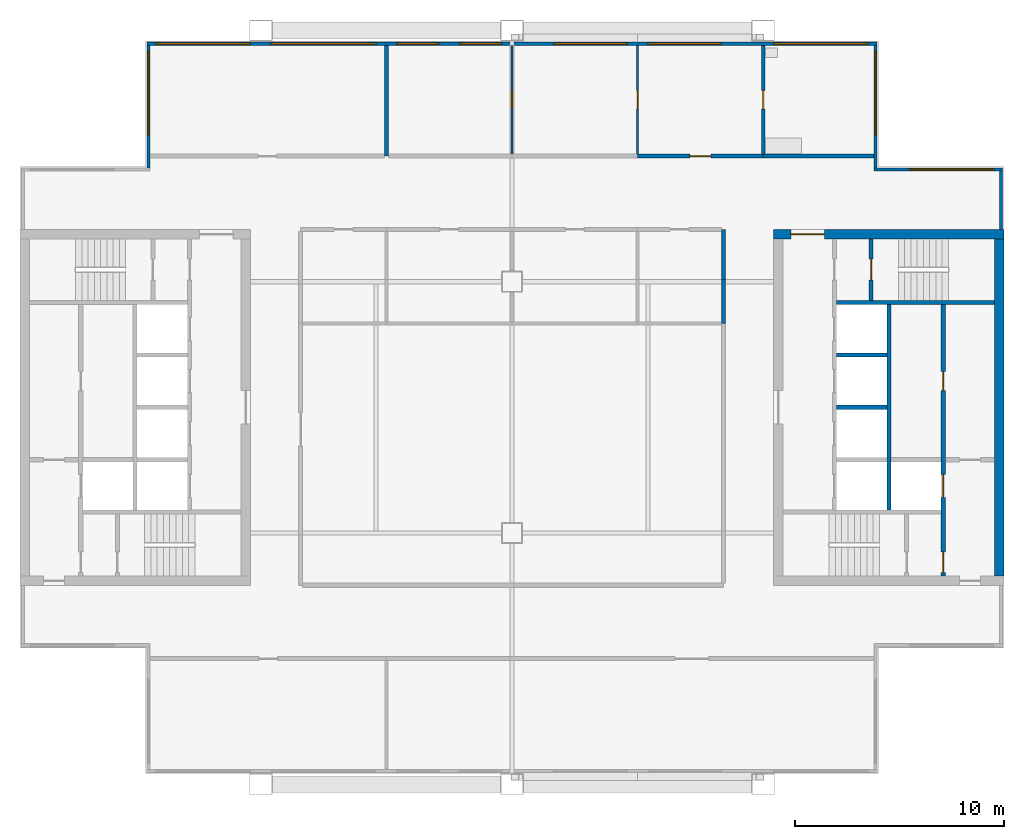
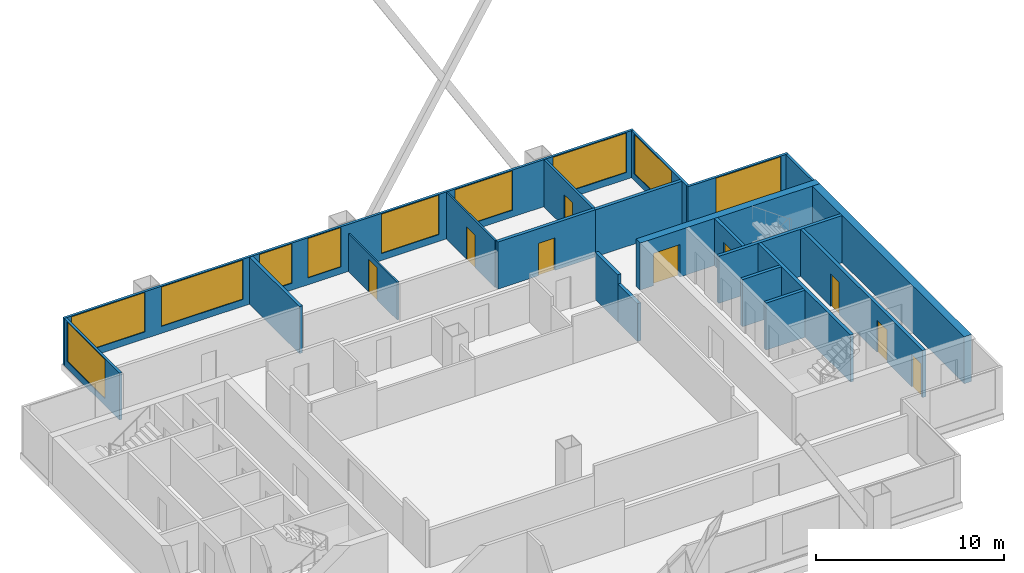
# One storey, part 4 of 7: 21 walls, 10 windows, 9 doors, 19 openings.
"""IFC4 building model written with IfcOpenShell, lengths in metres."""

from ifc_helpers import new_model, si_unit, direction, frame, frame_2d, origin, place, context, subcontext, project, spatial, rectangle, extrude, material, layer, layer_set, type_object, element, fill, save


model = new_model("IFC4")

# Units and contexts
model_context = context("Model", 3, precision=1e-05, world=origin(), true_north=direction((0.0, 1.0)))
body_context = subcontext(model_context, "Body", "Model", "MODEL_VIEW")
ifc_project = project(units=[si_unit("LENGTHUNIT", "METRE"), si_unit("AREAUNIT", "SQUARE_METRE"), si_unit("VOLUMEUNIT", "CUBIC_METRE"), si_unit("PLANEANGLEUNIT", "RADIAN"), si_unit("MASSUNIT", "GRAM", prefix="KILO")], contexts=[model_context])

# Site, building, storey
site_placement = place(None, origin())
site = spatial("IfcSite", under=ifc_project, at=site_placement, CompositionType="ELEMENT")
building_placement = place(site_placement, origin())
building = spatial("IfcBuilding", under=site, at=building_placement, Name="Kitamizu Gate Tower and Museum", CompositionType="ELEMENT")
storey_placement = place(building_placement, frame((0.0, 0.0, 238.64990234375)))
storey = spatial("IfcBuildingStorey", under=building, at=storey_placement, Name="L64", CompositionType="ELEMENT", Elevation=238.64990234375)

# Wall, opening, door
ifc_material_1 = material(Name="Concrete Fc42", Category="concrete")
ifc_layer_1 = layer(ifc_material_1, 0.449951171875)
ifc_layer_set_1 = layer_set([ifc_layer_1], Name="Concrete Fc42")
wall_type_1 = type_object("IfcWallType", Name="Core wall 450", PredefinedType="SHEAR", material=ifc_layer_set_1)
wall_1_placement = place(storey_placement, frame((59.5, 38.27490234375, 0.0), z_axis=(0.0, 0.0, 1.0), x_axis=(-1.0, 0.0, 0.0)))
wall_1 = element("IfcWall", 1, at=wall_1_placement, inside=storey, type_object=wall_type_1, Name="Core wall EN", PredefinedType="SHEAR", context=body_context, shape_type="SweptSolid", body=[
    extrude(rectangle(XDim=11.0, YDim=0.449951171875, at=frame_2d((5.5, 0.0))), origin(), (0.0, 0.0, 1.0), 3.050048828125),
])
opening_1_placement = place(wall_1_placement, frame((8.574951171875, 0.0, 0.0)))
opening_1 = element("IfcOpeningElement", 2, at=opening_1_placement, cuts=wall_1, Name="Opening L64-028", PredefinedType="OPENING", context=body_context, shape_type="SweptSolid", body=[
    extrude(rectangle(XDim=1.60009765625, YDim=2.10009765625, at=frame_2d((0.800048828125, 1.050048828125))), frame((0.0, 0.23486328125, 0.0), z_axis=(0.0, -1.0, 0.0), x_axis=(1.0, 0.0, 0.0)), (0.0, 0.0, 1.0), 0.469970703125),
])
ifc_material_2 = material(Name="Timber door set", Category="wood")
door_type_1 = type_object("IfcDoorType", Name="Entrance door 1600", OperationType="DOUBLE_DOOR_SINGLE_SWING", PredefinedType="DOOR", material=ifc_material_2)
door_1_placement = place(opening_1_placement, origin())
door_1 = element("IfcDoor", 3, at=door_1_placement, inside=storey, type_object=door_type_1, Name="Lobby door L64-028", OperationType="DOUBLE_DOOR_SINGLE_SWING", OverallHeight=2.10009765625, OverallWidth=1.60009765625, PredefinedType="DOOR", context=body_context, shape_type="SweptSolid", body=[
    extrude(rectangle(XDim=1.60009765625, YDim=2.10009765625, at=frame_2d((0.800048828125, 1.050048828125))), frame((0.0, 0.02490234375, 0.0), z_axis=(0.0, -1.0, 0.0), x_axis=(1.0, 0.0, 0.0)), (0.0, 0.0, 1.0), 0.050048828125),
])
fill(opening_1, door_1)

# Wall
wall_2_placement = place(storey_placement, frame((59.27490234375, 21.949951171875, 0.0), z_axis=(0.0, 0.0, 1.0), x_axis=(0.0, 1.0, 0.0)))
element("IfcWall", 4, at=wall_2_placement, inside=storey, type_object=wall_type_1, Name="Core wall EOUT", PredefinedType="SHEAR", context=body_context, shape_type="SweptSolid", body=[
    extrude(rectangle(XDim=16.10009765625, YDim=0.449951171875, at=frame_2d((8.050048828125, 0.0))), origin(), (0.0, 0.0, 1.0), 3.050048828125),
])

# Wall, opening, door
ifc_material_3 = material(Name="Gypsum board on galvanised stud")
ifc_layer_2 = layer(ifc_material_3, 0.10009765625)
ifc_layer_set_2 = layer_set([ifc_layer_2], Name="Gypsum board on galvanised stud")
wall_type_2 = type_object("IfcWallType", Name="Partition 100 NOT RATED", PredefinedType="PARTITIONING", material=ifc_layer_set_2)
wall_3_placement = place(storey_placement, frame((36.0, 42.10009765625, 0.0), z_axis=(0.0, 0.0, 1.0), x_axis=(0.0, 1.0, 0.0)))
wall_3 = element("IfcWall", 5, at=wall_3_placement, inside=storey, type_object=wall_type_2, Name="Partition L64-003", PredefinedType="PARTITIONING", context=body_context, shape_type="SweptSolid", body=[
    extrude(rectangle(XDim=5.179931640625, YDim=0.10009765625, at=frame_2d((2.58984375, 0.0))), origin(), (0.0, 0.0, 1.0), 2.4501953125),
])
opening_2_placement = place(wall_3_placement, frame((2.139892578125, 0.0, 0.0)))
opening_2 = element("IfcOpeningElement", 6, at=opening_2_placement, cuts=wall_3, Name="Opening L64-003", PredefinedType="OPENING", context=body_context, shape_type="SweptSolid", body=[
    extrude(rectangle(XDim=0.89990234375, YDim=2.10009765625, at=frame_2d((0.449951171875, 1.050048828125))), frame((0.0, 0.06005859375, 0.0), z_axis=(0.0, -1.0, 0.0), x_axis=(1.0, 0.0, 0.0)), (0.0, 0.0, 1.0), 0.1201171875),
])
ifc_material_4 = material(Name="Timber door set", Category="wood")
door_type_2 = type_object("IfcDoorType", Name="Room door 900", OperationType="NOTDEFINED", PredefinedType="DOOR", material=ifc_material_4)
door_2_placement = place(opening_2_placement, origin())
door_2 = element("IfcDoor", 7, at=door_2_placement, inside=storey, type_object=door_type_2, Name="Door L64-003", OperationType="SINGLE_SWING_RIGHT", OverallHeight=2.10009765625, OverallWidth=0.89990234375, PredefinedType="DOOR", context=body_context, shape_type="SweptSolid", body=[
    extrude(rectangle(XDim=0.89990234375, YDim=2.10009765625, at=frame_2d((0.449951171875, 1.050048828125))), frame((0.0, 0.02490234375, 0.0), z_axis=(0.0, -1.0, 0.0), x_axis=(1.0, 0.0, 0.0)), (0.0, 0.0, 1.0), 0.050048828125),
])
fill(opening_2, door_2)

wall_4_placement = place(storey_placement, frame((42.0, 42.10009765625, 0.0), z_axis=(0.0, 0.0, 1.0), x_axis=(0.0, 1.0, 0.0)))
wall_4 = element("IfcWall", 8, at=wall_4_placement, inside=storey, type_object=wall_type_2, Name="Partition L64-005", PredefinedType="PARTITIONING", context=body_context, shape_type="SweptSolid", body=[
    extrude(rectangle(XDim=5.179931640625, YDim=0.10009765625, at=frame_2d((2.58984375, 0.0))), origin(), (0.0, 0.0, 1.0), 3.050048828125),
])
opening_3_placement = place(wall_4_placement, frame((2.139892578125, 0.0, 0.0)))
opening_3 = element("IfcOpeningElement", 9, at=opening_3_placement, cuts=wall_4, Name="Opening L64-002", PredefinedType="OPENING", context=body_context, shape_type="SweptSolid", body=[
    extrude(rectangle(XDim=0.89990234375, YDim=2.10009765625, at=frame_2d((0.449951171875, 1.050048828125))), frame((0.0, 0.06005859375, 0.0), z_axis=(0.0, -1.0, 0.0), x_axis=(1.0, 0.0, 0.0)), (0.0, 0.0, 1.0), 0.1201171875),
])
door_3_placement = place(opening_3_placement, origin())
door_3 = element("IfcDoor", 10, at=door_3_placement, inside=storey, type_object=door_type_2, Name="Door L64-002", OperationType="SINGLE_SWING_LEFT", OverallHeight=2.10009765625, OverallWidth=0.89990234375, PredefinedType="DOOR", context=body_context, shape_type="SweptSolid", body=[
    extrude(rectangle(XDim=0.89990234375, YDim=2.10009765625, at=frame_2d((0.449951171875, 1.050048828125))), frame((0.0, 0.02490234375, 0.0), z_axis=(0.0, -1.0, 0.0), x_axis=(1.0, 0.0, 0.0)), (0.0, 0.0, 1.0), 0.050048828125),
])
fill(opening_3, door_3)

ifc_material_5 = material(Name="Gypsum board on galvanised stud")
ifc_layer_3 = layer(ifc_material_5, 0.14990234375)
ifc_layer_set_3 = layer_set([ifc_layer_3], Name="Gypsum board on galvanised stud")
wall_type_3 = type_object("IfcWallType", Name="Partition 150", PredefinedType="PARTITIONING", material=ifc_layer_set_3)
wall_5_placement = place(storey_placement, frame((48.0, 42.10009765625, 0.0), z_axis=(0.0, 0.0, 1.0), x_axis=(0.0, 1.0, 0.0)))
wall_5 = element("IfcWall", 11, at=wall_5_placement, inside=storey, type_object=wall_type_3, Name="Partition L64-007", PredefinedType="PARTITIONING", context=body_context, shape_type="SweptSolid", body=[
    extrude(rectangle(XDim=5.179931640625, YDim=0.14990234375, at=frame_2d((2.58984375, 0.0))), origin(), (0.0, 0.0, 1.0), 3.050048828125),
])
opening_4_placement = place(wall_5_placement, frame((2.139892578125, 0.0, 0.0)))
opening_4 = element("IfcOpeningElement", 12, at=opening_4_placement, cuts=wall_5, Name="Opening L64-004", PredefinedType="OPENING", context=body_context, shape_type="SweptSolid", body=[
    extrude(rectangle(XDim=0.89990234375, YDim=2.10009765625, at=frame_2d((0.449951171875, 1.050048828125))), frame((0.0, 0.0849609375, 0.0), z_axis=(0.0, -1.0, 0.0), x_axis=(1.0, 0.0, 0.0)), (0.0, 0.0, 1.0), 0.169921875),
])
ifc_material_6 = material(Name="Timber door set", Category="wood")
door_type_3 = type_object("IfcDoorType", Name="Bathroom door 900", OperationType="NOTDEFINED", PredefinedType="DOOR", material=ifc_material_6)
door_4_placement = place(opening_4_placement, frame((0.89990234375, 0.0, 0.0), x_axis=(-1.0, 0.0, 0.0)))
door_4 = element("IfcDoor", 13, at=door_4_placement, inside=storey, type_object=door_type_3, Name="Bathroom door L64-004", OperationType="SINGLE_SWING_RIGHT", OverallHeight=2.10009765625, OverallWidth=0.89990234375, PredefinedType="DOOR", context=body_context, shape_type="SweptSolid", body=[
    extrude(rectangle(XDim=0.89990234375, YDim=2.10009765625, at=frame_2d((0.449951171875, 1.050048828125))), frame((0.0, 0.02490234375, 0.0), z_axis=(0.0, -1.0, 0.0), x_axis=(1.0, 0.0, 0.0)), (0.0, 0.0, 1.0), 0.050048828125),
])
fill(opening_4, door_4)

# Wall
ifc_material_7 = material(Name="Gypsum board on galvanised stud")
ifc_layer_4 = layer(ifc_material_7, 0.199951171875)
ifc_layer_set_4 = layer_set([ifc_layer_4], Name="Gypsum board on galvanised stud")
wall_type_4 = type_object("IfcWallType", Name="Partition 200", PredefinedType="PARTITIONING", material=ifc_layer_set_4)
wall_6_placement = place(storey_placement, frame((30.0, 42.0, 0.0), z_axis=(0.0, 0.0, 1.0), x_axis=(0.0, 1.0, 0.0)))
element("IfcWall", 14, at=wall_6_placement, inside=storey, type_object=wall_type_4, Name="Partition L64-001", PredefinedType="PARTITIONING", context=body_context, shape_type="SweptSolid", body=[
    extrude(rectangle(XDim=5.280029296875, YDim=0.199951171875, at=frame_2d((2.64013671875, 0.0))), origin(), (0.0, 0.0, 1.0), 3.050048828125),
])

# Wall, opening, door
wall_7_placement = place(storey_placement, frame((42.0, 42.0, 0.0), z_axis=(0.0, 0.0, 1.0), x_axis=(1.0, 0.0, 0.0)))
wall_7 = element("IfcWall", 15, at=wall_7_placement, inside=storey, type_object=wall_type_4, Name="Partition L64-008", PredefinedType="PARTITIONING", context=body_context, shape_type="SweptSolid", body=[
    extrude(rectangle(XDim=6.0, YDim=0.199951171875, at=frame_2d((3.0, 0.0))), origin(), (0.0, 0.0, 1.0), 3.050048828125),
])
opening_5_placement = place(wall_7_placement, frame((2.5, 0.0, 0.0)))
opening_5 = element("IfcOpeningElement", 16, at=opening_5_placement, cuts=wall_7, Name="Opening L64-001", PredefinedType="OPENING", context=body_context, shape_type="SweptSolid", body=[
    extrude(rectangle(XDim=1.0, YDim=2.10009765625, at=frame_2d((0.5, 1.050048828125))), frame((0.0, 0.10986328125, 0.0), z_axis=(0.0, -1.0, 0.0), x_axis=(1.0, 0.0, 0.0)), (0.0, 0.0, 1.0), 0.219970703125),
])
ifc_material_8 = material(Name="Timber door set", Category="wood")
door_type_4 = type_object("IfcDoorType", Name="Flat entrance door 1000", OperationType="NOTDEFINED", PredefinedType="DOOR", material=ifc_material_8)
door_5_placement = place(opening_5_placement, origin())
door_5 = element("IfcDoor", 17, at=door_5_placement, inside=storey, type_object=door_type_4, Name="Flat entrance door L64-001", OperationType="SINGLE_SWING_RIGHT", OverallHeight=2.10009765625, OverallWidth=1.0, PredefinedType="DOOR", context=body_context, shape_type="SweptSolid", body=[
    extrude(rectangle(XDim=1.0, YDim=2.10009765625, at=frame_2d((0.5, 1.050048828125))), frame((0.0, 0.02490234375, 0.0), z_axis=(0.0, -1.0, 0.0), x_axis=(1.0, 0.0, 0.0)), (0.0, 0.0, 1.0), 0.050048828125),
])
fill(opening_5, door_5)

# Walls
wall_8_placement = place(storey_placement, frame((48.0, 42.0, 0.0), z_axis=(0.0, 0.0, 1.0), x_axis=(1.0, 0.0, 0.0)))
element("IfcWall", 18, at=wall_8_placement, inside=storey, type_object=wall_type_4, Name="Partition L64-009", PredefinedType="PARTITIONING", context=body_context, shape_type="SweptSolid", body=[
    extrude(rectangle(XDim=5.280029296875, YDim=0.199951171875, at=frame_2d((2.64013671875, 0.0))), origin(), (0.0, 0.0, 1.0), 3.050048828125),
])
wall_9_placement = place(storey_placement, frame((46.10009765625, 34.0, 0.0), z_axis=(0.0, 0.0, 1.0), x_axis=(0.0, 1.0, 0.0)))
element("IfcWall", 19, at=wall_9_placement, inside=storey, type_object=wall_type_4, Name="Partition L64-025", PredefinedType="PARTITIONING", context=body_context, shape_type="SweptSolid", body=[
    extrude(rectangle(XDim=2.10009765625, YDim=0.199951171875, at=frame_2d((1.050048828125, 0.0))), origin(), (0.0, 0.0, 1.0), 2.4501953125),
])
wall_10_placement = place(storey_placement, frame((46.10009765625, 36.10009765625, 0.0), z_axis=(0.0, 0.0, 1.0), x_axis=(0.0, 1.0, 0.0)))
element("IfcWall", 20, at=wall_10_placement, inside=storey, type_object=wall_type_4, Name="Partition L64-026", PredefinedType="PARTITIONING", context=body_context, shape_type="SweptSolid", body=[
    extrude(rectangle(XDim=2.39990234375, YDim=0.199951171875, at=frame_2d((1.199951171875, 0.0))), origin(), (0.0, 0.0, 1.0), 3.050048828125),
])

# Wall, openings, doors
ifc_material_9 = material(Name="Concrete Fc42", Category="concrete")
ifc_layer_5 = layer(ifc_material_9, 0.199951171875)
ifc_layer_set_5 = layer_set([ifc_layer_5], Name="Concrete Fc42")
wall_type_5 = type_object("IfcWallType", Name="Shaft wall 200", PredefinedType="SOLIDWALL", material=ifc_layer_set_5)
wall_11_placement = place(storey_placement, frame((56.60009765625, 21.949951171875, 0.0), z_axis=(0.0, 0.0, 1.0), x_axis=(0.0, 1.0, 0.0)))
wall_11 = element("IfcWall", 21, at=wall_11_placement, inside=storey, type_object=wall_type_5, Name="Shaft wall EWEST", PredefinedType="SOLIDWALL", context=body_context, shape_type="SweptSolid", body=[
    extrude(rectangle(XDim=12.949951171875, YDim=0.199951171875, at=frame_2d((6.47509765625, 0.0))), origin(), (0.0, 0.0, 1.0), 3.050048828125),
])
opening_6_placement = place(wall_11_placement, frame((3.75, 0.0, 0.0)))
opening_6 = element("IfcOpeningElement", 22, at=opening_6_placement, cuts=wall_11, Name="Opening LD", PredefinedType="OPENING", context=body_context, shape_type="SweptSolid", body=[
    extrude(rectangle(XDim=1.10009765625, YDim=2.10009765625, at=frame_2d((0.550048828125, 1.050048828125))), frame((0.0, 0.10986328125, 0.0), z_axis=(0.0, -1.0, 0.0), x_axis=(1.0, 0.0, 0.0)), (0.0, 0.0, 1.0), 0.219970703125),
])
opening_7_placement = place(wall_11_placement, frame((0.14990234375, 0.0, 0.0)))
opening_7 = element("IfcOpeningElement", 23, at=opening_7_placement, cuts=wall_11, Name="Opening L64-023", PredefinedType="OPENING", context=body_context, shape_type="SweptSolid", body=[
    extrude(rectangle(XDim=1.0, YDim=2.10009765625, at=frame_2d((0.5, 1.050048828125))), frame((0.0, 0.10986328125, 0.0), z_axis=(0.0, -1.0, 0.0), x_axis=(1.0, 0.0, 0.0)), (0.0, 0.0, 1.0), 0.219970703125),
])
opening_8_placement = place(wall_11_placement, frame((8.85009765625, 0.0, 0.0)))
opening_8 = element("IfcOpeningElement", 24, at=opening_8_placement, cuts=wall_11, Name="Opening L64-030", PredefinedType="OPENING", context=body_context, shape_type="SweptSolid", body=[
    extrude(rectangle(XDim=0.89990234375, YDim=2.10009765625, at=frame_2d((0.449951171875, 1.050048828125))), frame((0.0, 0.10986328125, 0.0), z_axis=(0.0, -1.0, 0.0), x_axis=(1.0, 0.0, 0.0)), (0.0, 0.0, 1.0), 0.219970703125),
])
ifc_material_10 = material(Name="Hollow metal door set")
door_type_5 = type_object("IfcDoorType", Name="Fire door 1000", OperationType="NOTDEFINED", PredefinedType="DOOR", material=ifc_material_10)
door_6_placement = place(opening_7_placement, origin())
door_6 = element("IfcDoor", 25, at=door_6_placement, inside=storey, type_object=door_type_5, Name="Stair lobby door L64-023", OperationType="SINGLE_SWING_RIGHT", OverallHeight=2.10009765625, OverallWidth=1.0, PredefinedType="DOOR", context=body_context, shape_type="SweptSolid", body=[
    extrude(rectangle(XDim=1.0, YDim=2.10009765625, at=frame_2d((0.5, 1.050048828125))), frame((0.0, 0.02490234375, 0.0), z_axis=(0.0, -1.0, 0.0), x_axis=(1.0, 0.0, 0.0)), (0.0, 0.0, 1.0), 0.050048828125),
])
fill(opening_7, door_6)
ifc_material_11 = material(Name="Hollow metal door set")
door_type_6 = type_object("IfcDoorType", Name="Landing door 1100", OperationType="SLIDING_TO_LEFT", PredefinedType="DOOR", material=ifc_material_11)
door_7_placement = place(opening_6_placement, origin())
door_7 = element("IfcDoor", 26, at=door_7_placement, inside=storey, type_object=door_type_6, Name="Landing door EFF1", OperationType="SLIDING_TO_LEFT", OverallHeight=2.10009765625, OverallWidth=1.10009765625, PredefinedType="DOOR", context=body_context, shape_type="SweptSolid", body=[
    extrude(rectangle(XDim=1.10009765625, YDim=2.10009765625, at=frame_2d((0.550048828125, 1.050048828125))), frame((0.0, 0.02490234375, 0.0), z_axis=(0.0, -1.0, 0.0), x_axis=(1.0, 0.0, 0.0)), (0.0, 0.0, 1.0), 0.050048828125),
])
fill(opening_6, door_7)
ifc_material_12 = material(Name="Timber door set", Category="wood")
door_type_7 = type_object("IfcDoorType", Name="Service door 900", OperationType="NOTDEFINED", PredefinedType="DOOR", material=ifc_material_12)
door_8_placement = place(opening_8_placement, origin())
door_8 = element("IfcDoor", 27, at=door_8_placement, inside=storey, type_object=door_type_7, Name="Service door L64-030", OperationType="SINGLE_SWING_LEFT", OverallHeight=2.10009765625, OverallWidth=0.89990234375, PredefinedType="DOOR", context=body_context, shape_type="SweptSolid", body=[
    extrude(rectangle(XDim=0.89990234375, YDim=2.10009765625, at=frame_2d((0.449951171875, 1.050048828125))), frame((0.0, 0.02490234375, 0.0), z_axis=(0.0, -1.0, 0.0), x_axis=(1.0, 0.0, 0.0)), (0.0, 0.0, 1.0), 0.050048828125),
])
fill(opening_8, door_8)

# Walls
wall_12_placement = place(storey_placement, frame((54.0, 25.10009765625, 0.0), z_axis=(0.0, 0.0, 1.0), x_axis=(0.0, 1.0, 0.0)))
element("IfcWall", 28, at=wall_12_placement, inside=storey, type_object=wall_type_5, Name="Shaft wall EMID", PredefinedType="SOLIDWALL", context=body_context, shape_type="SweptSolid", body=[
    extrude(rectangle(XDim=9.7998046875, YDim=0.199951171875, at=frame_2d((4.89990234375, 0.0))), origin(), (0.0, 0.0, 1.0), 3.050048828125),
])
wall_13_placement = place(storey_placement, frame((59.050048828125, 35.0, 0.0), z_axis=(0.0, 0.0, 1.0), x_axis=(-1.0, 0.0, 0.0)))
element("IfcWall", 29, at=wall_13_placement, inside=storey, type_object=wall_type_5, Name="Shaft wall ENB", PredefinedType="SOLIDWALL", context=body_context, shape_type="SweptSolid", body=[
    extrude(rectangle(XDim=7.550048828125, YDim=0.199951171875, at=frame_2d((3.77490234375, 0.0))), origin(), (0.0, 0.0, 1.0), 3.050048828125),
])

# Wall, opening, door
wall_14_placement = place(storey_placement, frame((53.14990234375, 35.10009765625, 0.0), z_axis=(0.0, 0.0, 1.0), x_axis=(0.0, 1.0, 0.0)))
wall_14 = element("IfcWall", 30, at=wall_14_placement, inside=storey, type_object=wall_type_5, Name="Shaft wall ENZ", PredefinedType="SOLIDWALL", context=body_context, shape_type="SweptSolid", body=[
    extrude(rectangle(XDim=2.949951171875, YDim=0.199951171875, at=frame_2d((1.47509765625, 0.0))), origin(), (0.0, 0.0, 1.0), 3.050048828125),
])
opening_9_placement = place(wall_14_placement, frame((0.97509765625, 0.0, 0.0)))
opening_9 = element("IfcOpeningElement", 31, at=opening_9_placement, cuts=wall_14, Name="Opening L64-025", PredefinedType="OPENING", context=body_context, shape_type="SweptSolid", body=[
    extrude(rectangle(XDim=1.0, YDim=2.10009765625, at=frame_2d((0.5, 1.050048828125))), frame((0.0, 0.10986328125, 0.0), z_axis=(0.0, -1.0, 0.0), x_axis=(1.0, 0.0, 0.0)), (0.0, 0.0, 1.0), 0.219970703125),
])
door_9_placement = place(opening_9_placement, frame((1.0, 0.0, 0.0), x_axis=(-1.0, 0.0, 0.0)))
door_9 = element("IfcDoor", 32, at=door_9_placement, inside=storey, type_object=door_type_5, Name="Stair door L64-025", OperationType="SINGLE_SWING_LEFT", OverallHeight=2.10009765625, OverallWidth=1.0, PredefinedType="DOOR", context=body_context, shape_type="SweptSolid", body=[
    extrude(rectangle(XDim=1.0, YDim=2.10009765625, at=frame_2d((0.5, 1.050048828125))), frame((0.0, 0.02490234375, 0.0), z_axis=(0.0, -1.0, 0.0), x_axis=(1.0, 0.0, 0.0)), (0.0, 0.0, 1.0), 0.050048828125),
])
fill(opening_9, door_9)

# Walls
for number, where, z_axis, x_axis, name in (
    (33, (53.89990234375, 30.0, 0.0), (0.0, 0.0, 1.0), (-1.0, 0.0, 0.0), "Shaft wall EDVE1"),
    (34, (53.89990234375, 32.5, 0.0), (0.0, 0.0, 1.0), (-1.0, 0.0, 0.0), "Shaft wall EDVE2"),
):
    element("IfcWall", number, at=place(storey_placement, frame(where, z_axis=z_axis, x_axis=x_axis)), inside=storey, type_object=wall_type_5, Name=name, PredefinedType="SOLIDWALL", context=body_context, shape_type="SweptSolid", body=[
        extrude(rectangle(XDim=2.39990234375, YDim=0.199951171875, at=frame_2d((1.199951171875, 0.0))), origin(), (0.0, 0.0, 1.0), 3.050048828125),
    ])
ifc_material_13 = material(Name="Bronze anodised aluminium frame with insulated spandrel and tinted glass", Category="aluminium")
ifc_layer_6 = layer(ifc_material_13, 0.14990234375)
ifc_layer_set_6 = layer_set([ifc_layer_6], Name="Bronze anodised aluminium frame with insulated spandrel and tinted glass")
wall_type_6 = type_object("IfcWallType", Name="WINDOW WALL 150 BRONZE FRAME EI 30", PredefinedType="ELEMENTEDWALL", material=ifc_layer_set_6)
wall_15_placement = place(storey_placement, frame((59.364990234375, 38.5, 0.0), z_axis=(0.0, 0.0, 1.0), x_axis=(0.0, 1.0, 0.0)))
element("IfcWall", 35, at=wall_15_placement, inside=storey, type_object=wall_type_6, Name="Window wall east L64", PredefinedType="ELEMENTEDWALL", context=body_context, shape_type="SweptSolid", body=[
    extrude(rectangle(XDim=2.7900390625, YDim=0.14990234375, at=frame_2d((1.39501953125, 0.0))), origin(), (0.0, 0.0, 1.0), 3.050048828125),
])

# Wall, opening, window
wall_16_placement = place(storey_placement, frame((53.2900390625, 41.364990234375, 0.0), z_axis=(0.0, 0.0, 1.0), x_axis=(1.0, 0.0, 0.0)))
wall_16 = element("IfcWall", 36, at=wall_16_placement, inside=storey, type_object=wall_type_6, Name="Window wall north L64", PredefinedType="ELEMENTEDWALL", context=body_context, shape_type="SweptSolid", body=[
    extrude(rectangle(XDim=6.14990234375, YDim=0.14990234375, at=frame_2d((3.074951171875, 0.0))), origin(), (0.0, 0.0, 1.0), 3.050048828125),
])
opening_10_placement = place(wall_16_placement, frame((1.7099609375, 0.0, 0.449951171875)))
opening_10 = element("IfcOpeningElement", 37, at=opening_10_placement, cuts=wall_16, Name="Opening W16", PredefinedType="OPENING", context=body_context, shape_type="SweptSolid", body=[
    extrude(rectangle(XDim=4.0, YDim=2.550048828125, at=frame_2d((2.0, 1.27490234375))), frame((0.0, 0.0849609375, 0.0), z_axis=(0.0, -1.0, 0.0), x_axis=(1.0, 0.0, 0.0)), (0.0, 0.0, 1.0), 0.169921875),
])
ifc_material_14 = material(Name="Bronze anodised aluminium frame, tinted triple glazing", Category="aluminium")
window_type_1 = type_object("IfcWindowType", Name="WINDOW 4000 x 2550 SILL 450", PartitioningType="SINGLE_PANEL", PredefinedType="WINDOW", material=ifc_material_14)
window_1_placement = place(opening_10_placement, origin())
window_1 = element("IfcWindow", 38, at=window_1_placement, inside=storey, type_object=window_type_1, Name="Window W16 L64", OverallHeight=2.550048828125, OverallWidth=4.0, PartitioningType="SINGLE_PANEL", PredefinedType="WINDOW", context=body_context, shape_type="SweptSolid", body=[
    extrude(rectangle(XDim=4.0, YDim=2.550048828125, at=frame_2d((2.0, 1.27490234375))), frame((0.0, 0.030029296875, 0.0), z_axis=(0.0, -1.0, 0.0), x_axis=(1.0, 0.0, 0.0)), (0.0, 0.0, 1.0), 0.06005859375),
])
fill(opening_10, window_1)

wall_17_placement = place(storey_placement, frame((53.364990234375, 41.43994140625, 0.0), z_axis=(0.0, 0.0, 1.0), x_axis=(0.0, 1.0, 0.0)))
wall_17 = element("IfcWall", 39, at=wall_17_placement, inside=storey, type_object=wall_type_6, Name="Window wall east L64", PredefinedType="ELEMENTEDWALL", context=body_context, shape_type="SweptSolid", body=[
    extrude(rectangle(XDim=5.85009765625, YDim=0.14990234375, at=frame_2d((2.925048828125, 0.0))), origin(), (0.0, 0.0, 1.0), 3.050048828125),
])
opening_11_placement = place(wall_17_placement, frame((1.56005859375, 0.0, 0.449951171875)))
opening_11 = element("IfcOpeningElement", 40, at=opening_11_placement, cuts=wall_17, Name="Opening W16", PredefinedType="OPENING", context=body_context, shape_type="SweptSolid", body=[
    extrude(rectangle(XDim=4.0, YDim=2.550048828125, at=frame_2d((2.0, 1.27490234375))), frame((0.0, 0.0849609375, 0.0), z_axis=(0.0, -1.0, 0.0), x_axis=(1.0, 0.0, 0.0)), (0.0, 0.0, 1.0), 0.169921875),
])
window_2_placement = place(opening_11_placement, origin())
window_2 = element("IfcWindow", 41, at=window_2_placement, inside=storey, type_object=window_type_1, Name="Window W16 L64", OverallHeight=2.550048828125, OverallWidth=4.0, PartitioningType="SINGLE_PANEL", PredefinedType="WINDOW", context=body_context, shape_type="SweptSolid", body=[
    extrude(rectangle(XDim=4.0, YDim=2.550048828125, at=frame_2d((2.0, 1.27490234375))), frame((0.0, 0.030029296875, 0.0), z_axis=(0.0, -1.0, 0.0), x_axis=(1.0, 0.0, 0.0)), (0.0, 0.0, 1.0), 0.06005859375),
])
fill(opening_11, window_2)

# Wall, openings, windows
wall_18_placement = place(storey_placement, frame((18.56005859375, 47.364990234375, 0.0), z_axis=(0.0, 0.0, 1.0), x_axis=(1.0, 0.0, 0.0)))
wall_18 = element("IfcWall", 42, at=wall_18_placement, inside=storey, type_object=wall_type_6, Name="Window wall north L64", PredefinedType="ELEMENTEDWALL", context=body_context, shape_type="SweptSolid", body=[
    extrude(rectangle(XDim=34.8798828125, YDim=0.14990234375, at=frame_2d((17.43994140625, 0.0))), origin(), (0.0, 0.0, 1.0), 3.050048828125),
])
opening_12_placement = place(wall_18_placement, frame((0.43994140625, 0.0, 0.449951171875)))
opening_12 = element("IfcOpeningElement", 43, at=opening_12_placement, cuts=wall_18, Name="Opening W15", PredefinedType="OPENING", context=body_context, shape_type="SweptSolid", body=[
    extrude(rectangle(XDim=4.5, YDim=2.550048828125, at=frame_2d((2.25, 1.27490234375))), frame((0.0, 0.0849609375, 0.0), z_axis=(0.0, -1.0, 0.0), x_axis=(1.0, 0.0, 0.0)), (0.0, 0.0, 1.0), 0.169921875),
])
opening_13_placement = place(wall_18_placement, frame((5.93994140625, 0.0, 0.449951171875)))
opening_13 = element("IfcOpeningElement", 44, at=opening_13_placement, cuts=wall_18, Name="Opening W1", PredefinedType="OPENING", context=body_context, shape_type="SweptSolid", body=[
    extrude(rectangle(XDim=5.0, YDim=2.550048828125, at=frame_2d((2.5, 1.27490234375))), frame((0.0, 0.0849609375, 0.0), z_axis=(0.0, -1.0, 0.0), x_axis=(1.0, 0.0, 0.0)), (0.0, 0.0, 1.0), 0.169921875),
])
opening_14_placement = place(wall_18_placement, frame((11.93994140625, 0.0, 0.449951171875)))
opening_14 = element("IfcOpeningElement", 45, at=opening_14_placement, cuts=wall_18, Name="Opening W2", PredefinedType="OPENING", context=body_context, shape_type="SweptSolid", body=[
    extrude(rectangle(XDim=2.0, YDim=2.550048828125, at=frame_2d((1.0, 1.27490234375))), frame((0.0, 0.0849609375, 0.0), z_axis=(0.0, -1.0, 0.0), x_axis=(1.0, 0.0, 0.0)), (0.0, 0.0, 1.0), 0.169921875),
])
opening_15_placement = place(wall_18_placement, frame((14.93994140625, 0.0, 0.449951171875)))
opening_15 = element("IfcOpeningElement", 46, at=opening_15_placement, cuts=wall_18, Name="Opening W2", PredefinedType="OPENING", context=body_context, shape_type="SweptSolid", body=[
    extrude(rectangle(XDim=2.0, YDim=2.550048828125, at=frame_2d((1.0, 1.27490234375))), frame((0.0, 0.0849609375, 0.0), z_axis=(0.0, -1.0, 0.0), x_axis=(1.0, 0.0, 0.0)), (0.0, 0.0, 1.0), 0.169921875),
])
opening_16_placement = place(wall_18_placement, frame((19.43994140625, 0.0, 0.449951171875)))
opening_16 = element("IfcOpeningElement", 47, at=opening_16_placement, cuts=wall_18, Name="Opening W35", PredefinedType="OPENING", context=body_context, shape_type="SweptSolid", body=[
    extrude(rectangle(XDim=3.5, YDim=2.550048828125, at=frame_2d((1.75, 1.27490234375))), frame((0.0, 0.0849609375, 0.0), z_axis=(0.0, -1.0, 0.0), x_axis=(1.0, 0.0, 0.0)), (0.0, 0.0, 1.0), 0.169921875),
])
opening_17_placement = place(wall_18_placement, frame((23.93994140625, 0.0, 0.449951171875)))
opening_17 = element("IfcOpeningElement", 48, at=opening_17_placement, cuts=wall_18, Name="Opening W35", PredefinedType="OPENING", context=body_context, shape_type="SweptSolid", body=[
    extrude(rectangle(XDim=3.5, YDim=2.550048828125, at=frame_2d((1.75, 1.27490234375))), frame((0.0, 0.0849609375, 0.0), z_axis=(0.0, -1.0, 0.0), x_axis=(1.0, 0.0, 0.0)), (0.0, 0.0, 1.0), 0.169921875),
])
opening_18_placement = place(wall_18_placement, frame((29.93994140625, 0.0, 0.449951171875)))
opening_18 = element("IfcOpeningElement", 49, at=opening_18_placement, cuts=wall_18, Name="Opening W15", PredefinedType="OPENING", context=body_context, shape_type="SweptSolid", body=[
    extrude(rectangle(XDim=4.5, YDim=2.550048828125, at=frame_2d((2.25, 1.27490234375))), frame((0.0, 0.0849609375, 0.0), z_axis=(0.0, -1.0, 0.0), x_axis=(1.0, 0.0, 0.0)), (0.0, 0.0, 1.0), 0.169921875),
])
ifc_material_15 = material(Name="Bronze anodised aluminium frame, tinted triple glazing", Category="aluminium")
window_type_2 = type_object("IfcWindowType", Name="WINDOW 2000 x 2550 SILL 450", PartitioningType="SINGLE_PANEL", PredefinedType="WINDOW", material=ifc_material_15)
window_3_placement = place(opening_14_placement, origin())
window_3 = element("IfcWindow", 50, at=window_3_placement, inside=storey, type_object=window_type_2, Name="Window W2 L64", OverallHeight=2.550048828125, OverallWidth=2.0, PartitioningType="SINGLE_PANEL", PredefinedType="WINDOW", context=body_context, shape_type="SweptSolid", body=[
    extrude(rectangle(XDim=2.0, YDim=2.550048828125, at=frame_2d((1.0, 1.27490234375))), frame((0.0, 0.030029296875, 0.0), z_axis=(0.0, -1.0, 0.0), x_axis=(1.0, 0.0, 0.0)), (0.0, 0.0, 1.0), 0.06005859375),
])
fill(opening_14, window_3)
window_4_placement = place(opening_15_placement, origin())
window_4 = element("IfcWindow", 51, at=window_4_placement, inside=storey, type_object=window_type_2, Name="Window W2 L64", OverallHeight=2.550048828125, OverallWidth=2.0, PartitioningType="SINGLE_PANEL", PredefinedType="WINDOW", context=body_context, shape_type="SweptSolid", body=[
    extrude(rectangle(XDim=2.0, YDim=2.550048828125, at=frame_2d((1.0, 1.27490234375))), frame((0.0, 0.030029296875, 0.0), z_axis=(0.0, -1.0, 0.0), x_axis=(1.0, 0.0, 0.0)), (0.0, 0.0, 1.0), 0.06005859375),
])
fill(opening_15, window_4)
ifc_material_16 = material(Name="Bronze anodised aluminium frame, tinted triple glazing", Category="aluminium")
window_type_3 = type_object("IfcWindowType", Name="WINDOW 3500 x 2550 SILL 450", PartitioningType="SINGLE_PANEL", PredefinedType="WINDOW", material=ifc_material_16)
window_5_placement = place(opening_16_placement, origin())
window_5 = element("IfcWindow", 52, at=window_5_placement, inside=storey, type_object=window_type_3, Name="Window W35 L64", OverallHeight=2.550048828125, OverallWidth=3.5, PartitioningType="SINGLE_PANEL", PredefinedType="WINDOW", context=body_context, shape_type="SweptSolid", body=[
    extrude(rectangle(XDim=3.5, YDim=2.550048828125, at=frame_2d((1.75, 1.27490234375))), frame((0.0, 0.030029296875, 0.0), z_axis=(0.0, -1.0, 0.0), x_axis=(1.0, 0.0, 0.0)), (0.0, 0.0, 1.0), 0.06005859375),
])
fill(opening_16, window_5)
window_6_placement = place(opening_17_placement, origin())
window_6 = element("IfcWindow", 53, at=window_6_placement, inside=storey, type_object=window_type_3, Name="Window W35 L64", OverallHeight=2.550048828125, OverallWidth=3.5, PartitioningType="SINGLE_PANEL", PredefinedType="WINDOW", context=body_context, shape_type="SweptSolid", body=[
    extrude(rectangle(XDim=3.5, YDim=2.550048828125, at=frame_2d((1.75, 1.27490234375))), frame((0.0, 0.030029296875, 0.0), z_axis=(0.0, -1.0, 0.0), x_axis=(1.0, 0.0, 0.0)), (0.0, 0.0, 1.0), 0.06005859375),
])
fill(opening_17, window_6)
ifc_material_17 = material(Name="Bronze anodised aluminium frame, tinted triple glazing", Category="aluminium")
window_type_4 = type_object("IfcWindowType", Name="WINDOW 4500 x 2550 SILL 450", PartitioningType="SINGLE_PANEL", PredefinedType="WINDOW", material=ifc_material_17)
window_7_placement = place(opening_12_placement, origin())
window_7 = element("IfcWindow", 54, at=window_7_placement, inside=storey, type_object=window_type_4, Name="Window W15 L64", OverallHeight=2.550048828125, OverallWidth=4.5, PartitioningType="SINGLE_PANEL", PredefinedType="WINDOW", context=body_context, shape_type="SweptSolid", body=[
    extrude(rectangle(XDim=4.5, YDim=2.550048828125, at=frame_2d((2.25, 1.27490234375))), frame((0.0, 0.030029296875, 0.0), z_axis=(0.0, -1.0, 0.0), x_axis=(1.0, 0.0, 0.0)), (0.0, 0.0, 1.0), 0.06005859375),
])
fill(opening_12, window_7)
window_8_placement = place(opening_18_placement, origin())
window_8 = element("IfcWindow", 55, at=window_8_placement, inside=storey, type_object=window_type_4, Name="Window W15 L64", OverallHeight=2.550048828125, OverallWidth=4.5, PartitioningType="SINGLE_PANEL", PredefinedType="WINDOW", context=body_context, shape_type="SweptSolid", body=[
    extrude(rectangle(XDim=4.5, YDim=2.550048828125, at=frame_2d((2.25, 1.27490234375))), frame((0.0, 0.030029296875, 0.0), z_axis=(0.0, -1.0, 0.0), x_axis=(1.0, 0.0, 0.0)), (0.0, 0.0, 1.0), 0.06005859375),
])
fill(opening_18, window_8)
ifc_material_18 = material(Name="Bronze anodised aluminium frame, tinted triple glazing", Category="aluminium")
window_type_5 = type_object("IfcWindowType", Name="WINDOW 5000 x 2550 SILL 450", PartitioningType="SINGLE_PANEL", PredefinedType="WINDOW", material=ifc_material_18)
window_9_placement = place(opening_13_placement, origin())
window_9 = element("IfcWindow", 56, at=window_9_placement, inside=storey, type_object=window_type_5, Name="Window W1 L64", OverallHeight=2.550048828125, OverallWidth=5.0, PartitioningType="SINGLE_PANEL", PredefinedType="WINDOW", context=body_context, shape_type="SweptSolid", body=[
    extrude(rectangle(XDim=5.0, YDim=2.550048828125, at=frame_2d((2.5, 1.27490234375))), frame((0.0, 0.030029296875, 0.0), z_axis=(0.0, -1.0, 0.0), x_axis=(1.0, 0.0, 0.0)), (0.0, 0.0, 1.0), 0.06005859375),
])
fill(opening_13, window_9)

# Wall, opening, window
wall_19_placement = place(storey_placement, frame((18.635009765625, 41.43994140625, 0.0), z_axis=(0.0, 0.0, 1.0), x_axis=(0.0, 1.0, 0.0)))
wall_19 = element("IfcWall", 57, at=wall_19_placement, inside=storey, type_object=wall_type_6, Name="Window wall west L64", PredefinedType="ELEMENTEDWALL", context=body_context, shape_type="SweptSolid", body=[
    extrude(rectangle(XDim=5.85009765625, YDim=0.14990234375, at=frame_2d((2.925048828125, 0.0))), origin(), (0.0, 0.0, 1.0), 3.050048828125),
])
opening_19_placement = place(wall_19_placement, frame((1.56005859375, 0.0, 0.449951171875)))
opening_19 = element("IfcOpeningElement", 58, at=opening_19_placement, cuts=wall_19, Name="Opening W16", PredefinedType="OPENING", context=body_context, shape_type="SweptSolid", body=[
    extrude(rectangle(XDim=4.0, YDim=2.550048828125, at=frame_2d((2.0, 1.27490234375))), frame((0.0, 0.0849609375, 0.0), z_axis=(0.0, -1.0, 0.0), x_axis=(1.0, 0.0, 0.0)), (0.0, 0.0, 1.0), 0.169921875),
])
window_10_placement = place(opening_19_placement, origin())
window_10 = element("IfcWindow", 59, at=window_10_placement, inside=storey, type_object=window_type_1, Name="Window W16 L64", OverallHeight=2.550048828125, OverallWidth=4.0, PartitioningType="SINGLE_PANEL", PredefinedType="WINDOW", context=body_context, shape_type="SweptSolid", body=[
    extrude(rectangle(XDim=4.0, YDim=2.550048828125, at=frame_2d((2.0, 1.27490234375))), frame((0.0, 0.030029296875, 0.0), z_axis=(0.0, -1.0, 0.0), x_axis=(1.0, 0.0, 0.0)), (0.0, 0.0, 1.0), 0.06005859375),
])
fill(opening_19, window_10)

save(model, "model.ifc")
